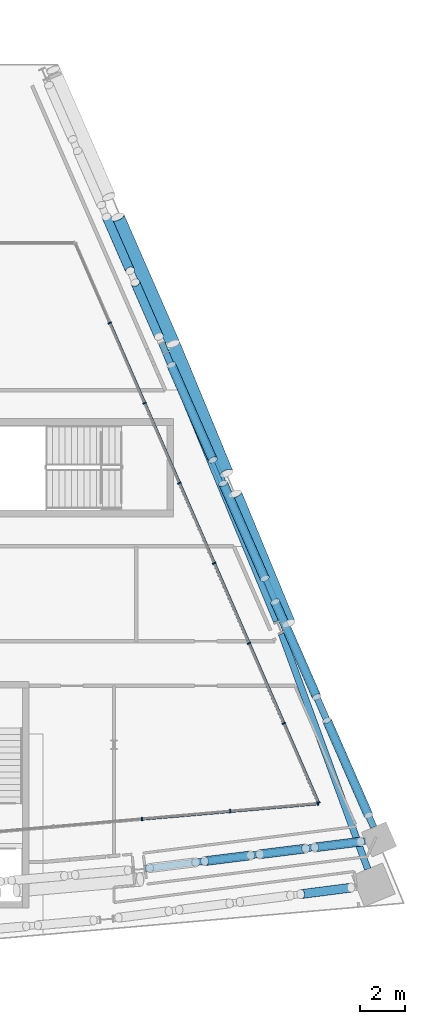
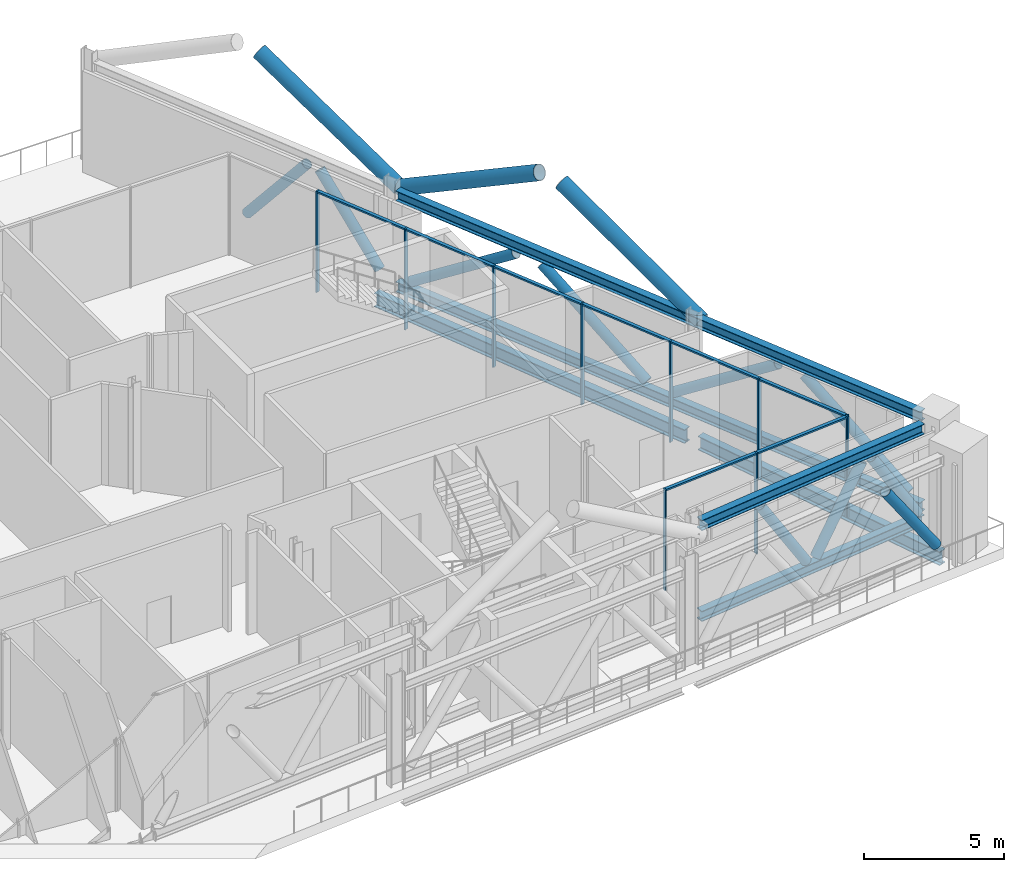
# One storey, part 10 of 35: 35 members, 2 beams, 2 elements without a shape of their own.
"""IFC4 building model written with IfcOpenShell, lengths in metres."""

from ifc_helpers import new_model, si_unit, direction, frame, origin, origin_2d, place, context, subcontext, project, spatial, rectangle, hollow_circle, i_section, extrude, material, material_profile, profile_set, type_object, element, aggregate, save


model = new_model("IFC4")

# Units and contexts
model_context = context("Model", 3, precision=1e-05, world=origin(), true_north=direction((0.0, 1.0)))
body_context = subcontext(model_context, "Body", "Model", "MODEL_VIEW")
ifc_project = project(units=[si_unit("LENGTHUNIT", "METRE"), si_unit("AREAUNIT", "SQUARE_METRE"), si_unit("VOLUMEUNIT", "CUBIC_METRE"), si_unit("PLANEANGLEUNIT", "RADIAN"), si_unit("MASSUNIT", "GRAM", prefix="KILO")], contexts=[model_context])

# Site, building, storey
site_placement = place(None, origin())
site = spatial("IfcSite", under=ifc_project, at=site_placement, CompositionType="ELEMENT")
building_placement = place(site_placement, origin())
building = spatial("IfcBuilding", under=site, at=building_placement, Name="Wharfspan Tower", CompositionType="ELEMENT")
storey_placement = place(building_placement, frame((0.0, 0.0, 202.300049)))
storey = spatial("IfcBuildingStorey", under=building, at=storey_placement, Name="L50", CompositionType="ELEMENT", Elevation=202.300049)

# Beams
ifc_material_1 = material(Name="Steel S355J2", Category="steel")
ifc_material_profile_1 = material_profile(ifc_material_1, i_section(OverallWidth=0.300049, OverallDepth=0.600098, WebThickness=0.015381, FlangeThickness=0.030029, FilletRadius=0.0271, at=origin_2d()))
ifc_profile_set_1 = profile_set([ifc_material_profile_1], Name="Steel S355J2")
beam_type = type_object("IfcBeamType", Name="Edge beam HEB 600", PredefinedType="SPANDREL", material=ifc_profile_set_1)
beam_1_placement = place(storey_placement, frame((83.375732, 5.931885, -0.75), z_axis=(-0.343871, 0.939017, 0.0), x_axis=(-0.939017, -0.343871, 0.0)))
element("IfcBeam", 1, at=beam_1_placement, inside=storey, type_object=beam_type, Name="Edge beam E L50 MC4 to PE.1", PredefinedType="SPANDREL", context=body_context, shape_type="SweptSolid", body=[
    extrude(i_section(OverallWidth=0.300049, OverallDepth=0.600098, WebThickness=0.015381, FlangeThickness=0.030029, FilletRadius=0.0271, at=origin_2d()), origin(), (0.0, 0.0, 1.0), 11.226807),
])
beam_2_placement = place(storey_placement, frame((79.292969, 17.044434, -0.75), z_axis=(-0.381593, 0.92433, 0.0), x_axis=(-0.92433, -0.381593, 0.0)))
element("IfcBeam", 2, at=beam_2_placement, inside=storey, type_object=beam_type, Name="Edge beam E L50 PE.1 to PE.2", PredefinedType="SPANDREL", context=body_context, shape_type="SweptSolid", body=[
    extrude(i_section(OverallWidth=0.300049, OverallDepth=0.600098, WebThickness=0.015381, FlangeThickness=0.030029, FilletRadius=0.0271, at=origin_2d()), origin(), (0.0, 0.0, 1.0), 13.94751),
])

# Curtain wall, members
ifc_material_2 = material(Name="Aluminium 6063-T6", Category="aluminium")
curtain_wall_type = type_object("IfcCurtainWallType", Name="CURTAIN WALL BAND RECESS", PredefinedType="NOTDEFINED", material=ifc_material_2)
curtain_wall_1_placement = place(storey_placement, origin())
curtain_wall_1 = element("IfcCurtainWall", 3, at=curtain_wall_1_placement, inside=storey, type_object=curtain_wall_type, Name="Recess glazing R4", PredefinedType="NOTDEFINED")
ifc_material_profile_2 = material_profile(ifc_material_2, rectangle(XDim=0.159912, YDim=0.060059, at=origin_2d()))
ifc_profile_set_2 = profile_set([ifc_material_profile_2], Name="Aluminium 6063-T6")
member_type_1 = type_object("IfcMemberType", Name="MULLION BAND RECESS 60x160", PredefinedType="MULLION", material=ifc_profile_set_2)
member_1_placement = place(storey_placement, frame((71.8125, 30.410645, 0.0), z_axis=(0.0, 0.0, 1.0), x_axis=(0.917072, 0.398727, 0.0)))
member_1 = element("IfcMember", 4, at=member_1_placement, type_object=member_type_1, Name="Recess glazing R4 mullion 2", PredefinedType="MULLION", context=body_context, shape_type="SweptSolid", body=[
    extrude(rectangle(XDim=0.159912, YDim=0.060059, at=origin_2d()), origin(), (0.0, 0.0, 1.0), 4.399902),
])
member_2_placement = place(storey_placement, frame((73.372803, 26.821533, 0.0), z_axis=(0.0, 0.0, 1.0), x_axis=(0.917072, 0.398727, 0.0)))
member_2 = element("IfcMember", 5, at=member_2_placement, type_object=member_type_1, Name="Recess glazing R4 mullion 3", PredefinedType="MULLION", context=body_context, shape_type="SweptSolid", body=[
    extrude(rectangle(XDim=0.159912, YDim=0.060059, at=origin_2d()), origin(), (0.0, 0.0, 1.0), 4.399902),
])
member_3_placement = place(storey_placement, frame((74.93335, 23.232178, 0.0), z_axis=(0.0, 0.0, 1.0), x_axis=(0.917072, 0.398727, 0.0)))
member_3 = element("IfcMember", 6, at=member_3_placement, type_object=member_type_1, Name="Recess glazing R4 mullion 4", PredefinedType="MULLION", context=body_context, shape_type="SweptSolid", body=[
    extrude(rectangle(XDim=0.159912, YDim=0.060059, at=origin_2d()), origin(), (0.0, 0.0, 1.0), 4.399902),
])
member_4_placement = place(storey_placement, frame((76.493896, 19.643066, 0.0), z_axis=(0.0, 0.0, 1.0), x_axis=(0.917072, 0.398727, 0.0)))
member_4 = element("IfcMember", 7, at=member_4_placement, type_object=member_type_1, Name="Recess glazing R4 mullion 5", PredefinedType="MULLION", context=body_context, shape_type="SweptSolid", body=[
    extrude(rectangle(XDim=0.159912, YDim=0.060059, at=origin_2d()), origin(), (0.0, 0.0, 1.0), 4.399902),
])
member_5_placement = place(storey_placement, frame((78.054443, 16.053711, 0.0), z_axis=(0.0, 0.0, 1.0), x_axis=(0.917072, 0.398727, 0.0)))
member_5 = element("IfcMember", 8, at=member_5_placement, type_object=member_type_1, Name="Recess glazing R4 mullion 6", PredefinedType="MULLION", context=body_context, shape_type="SweptSolid", body=[
    extrude(rectangle(XDim=0.159912, YDim=0.060059, at=origin_2d()), origin(), (0.0, 0.0, 1.0), 4.399902),
])
member_6_placement = place(storey_placement, frame((79.61499, 12.4646, 0.0), z_axis=(0.0, 0.0, 1.0), x_axis=(0.917072, 0.398727, 0.0)))
member_6 = element("IfcMember", 9, at=member_6_placement, type_object=member_type_1, Name="Recess glazing R4 mullion 7", PredefinedType="MULLION", context=body_context, shape_type="SweptSolid", body=[
    extrude(rectangle(XDim=0.159912, YDim=0.060059, at=origin_2d()), origin(), (0.0, 0.0, 1.0), 4.399902),
])
member_7_placement = place(storey_placement, frame((81.163574, 8.902832, 0.0), z_axis=(0.0, 0.0, 1.0), x_axis=(0.917072, 0.398727, 0.0)))
member_7 = element("IfcMember", 10, at=member_7_placement, type_object=member_type_1, Name="Recess glazing R4 mullion 8", PredefinedType="MULLION", context=body_context, shape_type="SweptSolid", body=[
    extrude(rectangle(XDim=0.159912, YDim=0.060059, at=origin_2d()), origin(), (0.0, 0.0, 1.0), 4.399902),
])

curtain_wall_2_placement = place(storey_placement, origin())
curtain_wall_2 = element("IfcCurtainWall", 11, at=curtain_wall_2_placement, inside=storey, type_object=curtain_wall_type, Name="Recess glazing R5", PredefinedType="NOTDEFINED")
member_8_placement = place(storey_placement, frame((81.145752, 8.872803, 0.0), z_axis=(0.0, 0.0, 1.0), x_axis=(0.087156, -0.996198, 0.0)))
member_8 = element("IfcMember", 12, at=member_8_placement, type_object=member_type_1, Name="Recess glazing R5 mullion 1", PredefinedType="MULLION", context=body_context, shape_type="SweptSolid", body=[
    extrude(rectangle(XDim=0.159912, YDim=0.060059, at=origin_2d()), origin(), (0.0, 0.0, 1.0), 4.399902),
])
member_9_placement = place(storey_placement, frame((77.216064, 8.529053, 0.0), z_axis=(0.0, 0.0, 1.0), x_axis=(0.087156, -0.996198, 0.0)))
member_9 = element("IfcMember", 13, at=member_9_placement, type_object=member_type_1, Name="Recess glazing R5 mullion 2", PredefinedType="MULLION", context=body_context, shape_type="SweptSolid", body=[
    extrude(rectangle(XDim=0.159912, YDim=0.060059, at=origin_2d()), origin(), (0.0, 0.0, 1.0), 4.399902),
])
member_10_placement = place(storey_placement, frame((73.256592, 8.182617, 0.0), z_axis=(0.0, 0.0, 1.0), x_axis=(0.087156, -0.996198, 0.0)))
member_10 = element("IfcMember", 14, at=member_10_placement, type_object=member_type_1, Name="Recess glazing R5 mullion 3", PredefinedType="MULLION", context=body_context, shape_type="SweptSolid", body=[
    extrude(rectangle(XDim=0.159912, YDim=0.060059, at=origin_2d()), origin(), (0.0, 0.0, 1.0), 4.399902),
])

# Members
ifc_material_3 = material(Name="Steel S460NH", Category="steel")
ifc_material_profile_3 = material_profile(ifc_material_3, hollow_circle(Radius=0.304932, WallThickness=0.024902, at=origin_2d()))
ifc_profile_set_3 = profile_set([ifc_material_profile_3], Name="Steel S460NH")
member_type_2 = type_object("IfcMemberType", Name="Mega brace CHS 610x25", PredefinedType="BRACE", material=ifc_profile_set_3)
member_11_placement = place(storey_placement, frame((79.826904, 16.943115, 4.099854), z_axis=(-0.337042, 0.816355, 0.469007), x_axis=(-0.924324, -0.381616, -4e-06)))
element("IfcMember", 15, at=member_11_placement, inside=storey, type_object=member_type_2, Name="Mega brace E5 L51 part 1", PredefinedType="BRACE", context=body_context, shape_type="SweptSolid", body=[
    extrude(hollow_circle(Radius=0.304932, WallThickness=0.024902, at=origin_2d()), origin(), (0.0, 0.0, 1.0), 7.105957),
])
member_12_placement = place(storey_placement, frame((74.652588, 29.476318, 4.099854), z_axis=(0.337032, -0.816367, 0.468993), x_axis=(0.92433, 0.381605, 2e-06)))
element("IfcMember", 16, at=member_12_placement, inside=storey, type_object=member_type_2, Name="Mega brace E5 L51 part 3", PredefinedType="BRACE", context=body_context, shape_type="SweptSolid", body=[
    extrude(hollow_circle(Radius=0.304932, WallThickness=0.024902, at=origin_2d()), origin(), (0.0, 0.0, 1.0), 7.106201),
])
member_13_placement = place(storey_placement, frame((74.652588, 29.476318, 4.099854), z_axis=(-0.352883, 0.8071, 0.473353), x_axis=(-0.916253, -0.400609, 3e-06)))
element("IfcMember", 17, at=member_13_placement, inside=storey, type_object=member_type_2, Name="Mega brace E6 L51 part 1", PredefinedType="BRACE", context=body_context, shape_type="SweptSolid", body=[
    extrude(hollow_circle(Radius=0.304932, WallThickness=0.024902, at=origin_2d()), origin(), (0.0, 0.0, 1.0), 7.042236),
])

# Member
ifc_material_profile_4 = material_profile(ifc_material_2, rectangle(XDim=0.139893, YDim=0.070068, at=origin_2d()))
ifc_profile_set_4 = profile_set([ifc_material_profile_4], Name="Aluminium 6063-T6")
member_type_3 = type_object("IfcMemberType", Name="TRANSOM BAND RECESS 70x140", PredefinedType="USERDEFINED", material=ifc_profile_set_4)
member_14_placement = place(storey_placement, frame((71.824219, 30.383301, 4.36499), z_axis=(0.398731, -0.917068, 0.0), x_axis=(0.917068, 0.398731, 0.0)))
member_14 = element("IfcMember", 18, at=member_14_placement, type_object=member_type_3, Name="Recess glazing R4 transom 2", ObjectType="TRANSOM", PredefinedType="USERDEFINED", context=body_context, shape_type="SweptSolid", body=[
    extrude(rectangle(XDim=0.139893, YDim=0.070068, at=origin_2d()), origin(), (0.0, 0.0, 1.0), 3.85376),
])

member_15_placement = place(storey_placement, frame((73.384766, 26.793945, 4.36499), z_axis=(0.398731, -0.917068, 0.0), x_axis=(0.917068, 0.398731, 0.0)))
member_15 = element("IfcMember", 19, at=member_15_placement, type_object=member_type_3, Name="Recess glazing R4 transom 3", ObjectType="TRANSOM", PredefinedType="USERDEFINED", context=body_context, shape_type="SweptSolid", body=[
    extrude(rectangle(XDim=0.139893, YDim=0.070068, at=origin_2d()), origin(), (0.0, 0.0, 1.0), 3.85376),
])

member_16_placement = place(storey_placement, frame((74.945312, 23.204834, 4.36499), z_axis=(0.398731, -0.917068, 0.0), x_axis=(0.917068, 0.398731, 0.0)))
member_16 = element("IfcMember", 20, at=member_16_placement, type_object=member_type_3, Name="Recess glazing R4 transom 4", ObjectType="TRANSOM", PredefinedType="USERDEFINED", context=body_context, shape_type="SweptSolid", body=[
    extrude(rectangle(XDim=0.139893, YDim=0.070068, at=origin_2d()), origin(), (0.0, 0.0, 1.0), 3.85376),
])

member_17_placement = place(storey_placement, frame((76.505859, 19.615479, 4.36499), z_axis=(0.398731, -0.917068, 0.0), x_axis=(0.917068, 0.398731, 0.0)))
member_17 = element("IfcMember", 21, at=member_17_placement, type_object=member_type_3, Name="Recess glazing R4 transom 5", ObjectType="TRANSOM", PredefinedType="USERDEFINED", context=body_context, shape_type="SweptSolid", body=[
    extrude(rectangle(XDim=0.139893, YDim=0.070068, at=origin_2d()), origin(), (0.0, 0.0, 1.0), 3.85376),
])

member_18_placement = place(storey_placement, frame((78.066406, 16.026367, 4.36499), z_axis=(0.398731, -0.917068, 0.0), x_axis=(0.917068, 0.398731, 0.0)))
member_18 = element("IfcMember", 22, at=member_18_placement, type_object=member_type_3, Name="Recess glazing R4 transom 6", ObjectType="TRANSOM", PredefinedType="USERDEFINED", context=body_context, shape_type="SweptSolid", body=[
    extrude(rectangle(XDim=0.139893, YDim=0.070068, at=origin_2d()), origin(), (0.0, 0.0, 1.0), 3.85376),
])

member_19_placement = place(storey_placement, frame((79.626953, 12.437012, 4.36499), z_axis=(0.398738, -0.917065, 0.0), x_axis=(0.917065, 0.398738, 0.0)))
member_19 = element("IfcMember", 23, at=member_19_placement, type_object=member_type_3, Name="Recess glazing R4 transom 7", ObjectType="TRANSOM", PredefinedType="USERDEFINED", context=body_context, shape_type="SweptSolid", body=[
    extrude(rectangle(XDim=0.139893, YDim=0.070068, at=origin_2d()), origin(), (0.0, 0.0, 1.0), 3.82373),
])

aggregate(curtain_wall_1, [member_1, member_2, member_3, member_4, member_5, member_6, member_7, member_14, member_15, member_16, member_17, member_18, member_19])

member_20_placement = place(storey_placement, frame((81.115723, 8.870117, 4.36499), z_axis=(-0.996193, -0.087175, 0.0), x_axis=(0.087175, -0.996193, 0.0)))
member_20 = element("IfcMember", 24, at=member_20_placement, type_object=member_type_3, Name="Recess glazing R5 transom 1", ObjectType="TRANSOM", PredefinedType="USERDEFINED", context=body_context, shape_type="SweptSolid", body=[
    extrude(rectangle(XDim=0.139893, YDim=0.070068, at=origin_2d()), origin(), (0.0, 0.0, 1.0), 3.884521),
])

member_21_placement = place(storey_placement, frame((77.186279, 8.526367, 4.36499), z_axis=(-0.996192, -0.087189, 0.0), x_axis=(0.087189, -0.996192, 0.0)))
member_21 = element("IfcMember", 25, at=member_21_placement, type_object=member_type_3, Name="Recess glazing R5 transom 2", ObjectType="TRANSOM", PredefinedType="USERDEFINED", context=body_context, shape_type="SweptSolid", body=[
    extrude(rectangle(XDim=0.139893, YDim=0.070068, at=origin_2d()), origin(), (0.0, 0.0, 1.0), 3.914551),
])

aggregate(curtain_wall_2, [member_8, member_9, member_10, member_20, member_21])

# Members
ifc_material_profile_5 = material_profile(ifc_material_1, i_section(OverallWidth=0.300049, OverallDepth=0.449951, WebThickness=0.013916, FlangeThickness=0.025879, FilletRadius=0.0271, at=origin_2d()))
ifc_profile_set_5 = profile_set([ifc_material_profile_5], Name="Steel S355J2")
member_type_4 = type_object("IfcMemberType", Name="Truss chord HEB 450", PredefinedType="CHORD", material=ifc_profile_set_5)
for number, where, z_axis, x_axis, name in (
    (26, (73.395508, 5.955811, 4.175049), (0.992301, 0.123847, 0.0), (-0.123847, 0.992301, 0.0), "Belt truss chord T L50 S2 PS2.2 to MC4"),
    (27, (73.395508, 5.955811, 0.224854), (0.992301, 0.123847, 0.0), (-0.123847, 0.992301, 0.0), "Belt truss chord B L50 S2 PS2.2 to MC4"),
):
    element("IfcMember", number, at=place(storey_placement, frame(where, z_axis=z_axis, x_axis=x_axis)), inside=storey, type_object=member_type_4, Name=name, PredefinedType="CHORD", context=body_context, shape_type="SweptSolid", body=[
        extrude(i_section(OverallWidth=0.300049, OverallDepth=0.449951, WebThickness=0.013916, FlangeThickness=0.025879, FilletRadius=0.0271, at=origin_2d()), origin(), (0.0, 0.0, 1.0), 9.943359),
    ])
for number, where, z_axis, x_axis, name in (
    (28, (83.64209, 7.814209, 4.175049), (-0.401134, 0.91602, 0.0), (-0.91602, -0.401134, 0.0), "Belt truss chord T L50 E MC4 to PE.2"),
    (29, (83.64209, 7.814209, 0.224854), (-0.401134, 0.91602, 0.0), (-0.91602, -0.401134, 0.0), "Belt truss chord B L50 E MC4 to PE.2"),
):
    element("IfcMember", number, at=place(storey_placement, frame(where, z_axis=z_axis, x_axis=x_axis)), inside=storey, type_object=member_type_4, Name=name, PredefinedType="CHORD", context=body_context, shape_type="SweptSolid", body=[
        extrude(i_section(OverallWidth=0.300049, OverallDepth=0.449951, WebThickness=0.013916, FlangeThickness=0.025879, FilletRadius=0.0271, at=origin_2d()), origin(), (0.0, 0.0, 1.0), 23.187988),
    ])
ifc_material_profile_6 = material_profile(ifc_material_3, hollow_circle(Radius=0.203125, WallThickness=0.016113, at=origin_2d()))
ifc_profile_set_6 = profile_set([ifc_material_profile_6], Name="Steel S460NH")
member_type_5 = type_object("IfcMemberType", Name="Truss diagonal CHS 406.4x16", PredefinedType="BRACE", material=ifc_profile_set_6)
for number, where, z_axis, x_axis, name in (
    (30, (76.070312, 6.289551, 3.841797), (0.528515, 0.066009, -0.846354), (-0.123934, 0.992291, -1e-06), "Belt truss diagonal L50 S2 PS2.2 to MC4 2"),
    (31, (78.536865, 6.597412, 0.558105), (0.528515, 0.066009, 0.846354), (-0.123934, 0.992291, 1e-06), "Belt truss diagonal L50 S2 PS2.2 to MC4 3"),
    (32, (81.003662, 6.905273, 3.841797), (0.528515, 0.066009, -0.846354), (-0.123934, 0.992291, -1e-06), "Belt truss diagonal L50 S2 PS2.2 to MC4 4"),
):
    element("IfcMember", number, at=place(storey_placement, frame(where, z_axis=z_axis, x_axis=x_axis)), inside=storey, type_object=member_type_5, Name=name, PredefinedType="BRACE", context=body_context, shape_type="SweptSolid", body=[
        extrude(hollow_circle(Radius=0.203125, WallThickness=0.016113, at=origin_2d()), origin(), (0.0, 0.0, 1.0), 3.879883),
    ])
member_22_placement = place(storey_placement, frame((83.410889, 8.342529, 0.61792), z_axis=(-0.331508, 0.756993, 0.563085), x_axis=(-0.916017, -0.401146, -4e-06)))
element("IfcMember", 33, at=member_22_placement, inside=storey, type_object=member_type_5, Name="Belt truss diagonal L50 E MC4 to PE.2 1", PredefinedType="BRACE", context=body_context, shape_type="SweptSolid", body=[
    extrude(hollow_circle(Radius=0.203125, WallThickness=0.016113, at=origin_2d()), origin(), (0.0, 0.0, 1.0), 5.619141),
])
member_23_placement = place(storey_placement, frame((81.085449, 13.652588, 3.781982), z_axis=(-0.331497, 0.757011, -0.563066), x_axis=(-0.916019, -0.401127, 0.0)))
element("IfcMember", 34, at=member_23_placement, inside=storey, type_object=member_type_5, Name="Belt truss diagonal L50 E MC4 to PE.2 2", PredefinedType="BRACE", context=body_context, shape_type="SweptSolid", body=[
    extrude(hollow_circle(Radius=0.203125, WallThickness=0.016113, at=origin_2d()), origin(), (0.0, 0.0, 1.0), 5.619385),
])
for number, where, z_axis, x_axis, name in (
    (35, (78.76001, 18.962891, 0.61792), (-0.331508, 0.756993, 0.563085), (-0.916017, -0.401146, -4e-06), "Belt truss diagonal L50 E MC4 to PE.2 3"),
    (36, (76.43457, 24.272949, 3.781982), (-0.331508, 0.756993, -0.563085), (-0.916017, -0.401146, 4e-06), "Belt truss diagonal L50 E MC4 to PE.2 4"),
):
    element("IfcMember", number, at=place(storey_placement, frame(where, z_axis=z_axis, x_axis=x_axis)), inside=storey, type_object=member_type_5, Name=name, PredefinedType="BRACE", context=body_context, shape_type="SweptSolid", body=[
        extrude(hollow_circle(Radius=0.203125, WallThickness=0.016113, at=origin_2d()), origin(), (0.0, 0.0, 1.0), 5.619141),
    ])
for number, where, z_axis, x_axis, name in (
    (37, (74.015137, 29.798828, 0.578369), (-0.253085, 0.578822, 0.775186), (-0.916245, -0.400619, -1e-06), "Belt truss diagonal L50 E PE.2 to PE.3 1"),
    (38, (72.725586, 32.748047, 3.821533), (-0.253085, 0.578822, -0.775186), (-0.916245, -0.400619, 1e-06), "Belt truss diagonal L50 E PE.2 to PE.3 2"),
):
    element("IfcMember", number, at=place(storey_placement, frame(where, z_axis=z_axis, x_axis=x_axis)), inside=storey, type_object=member_type_5, Name=name, PredefinedType="BRACE", context=body_context, shape_type="SweptSolid", body=[
        extrude(hollow_circle(Radius=0.203125, WallThickness=0.016113, at=origin_2d()), origin(), (0.0, 0.0, 1.0), 4.183838),
    ])
member_24_placement = place(storey_placement, frame((80.374268, 4.810059, 3.833984), z_axis=(0.566061, 0.073058, -0.82112), x_axis=(-0.127999, 0.991772, 2e-06)))
element("IfcMember", 39, at=member_24_placement, inside=storey, type_object=member_type_5, Name="Belt truss diagonal L50 S2 PS2.2.S to MC4.S 4", PredefinedType="BRACE", context=body_context, shape_type="SweptSolid", body=[
    extrude(hollow_circle(Radius=0.203125, WallThickness=0.016113, at=origin_2d()), origin(), (0.0, 0.0, 1.0), 3.97998),
])

save(model, "model.ifc")
